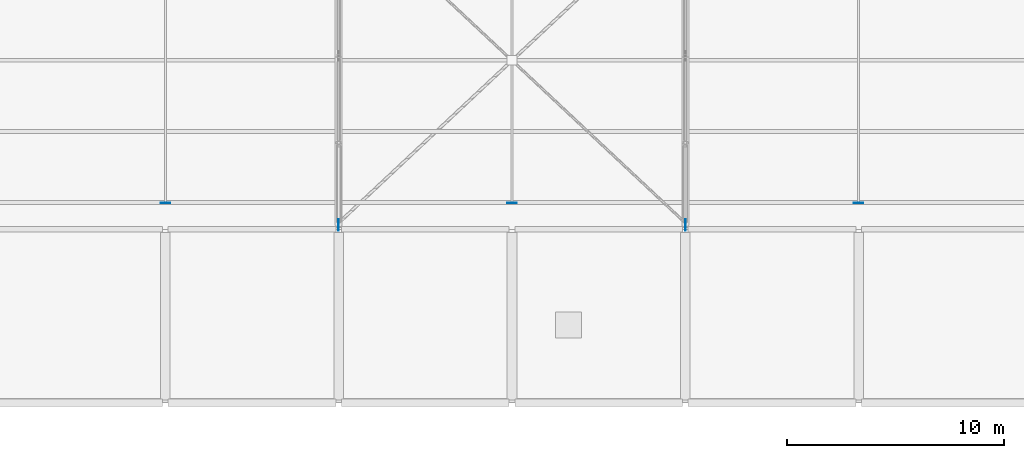
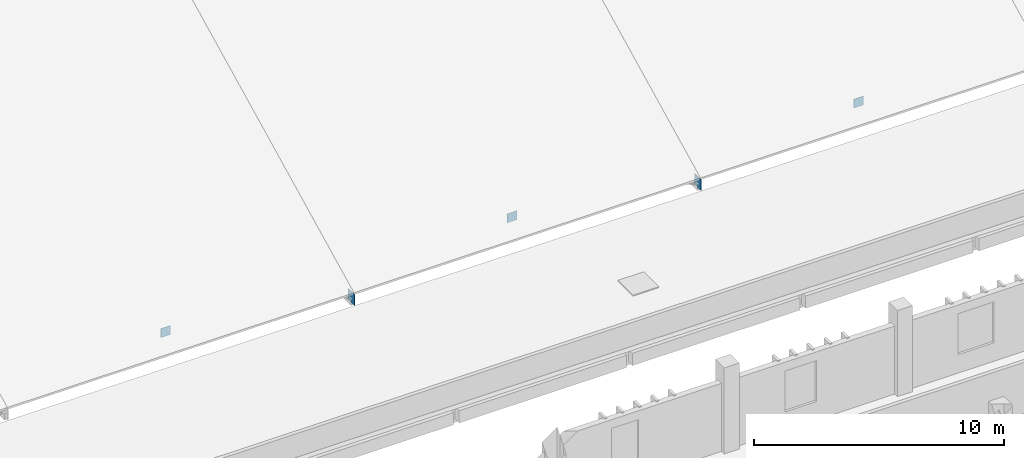
# One storey, part 104 of 137: 5 plates.
"""IFC4 building model written with IfcOpenShell, lengths in metres."""

from ifc_helpers import new_model, si_unit, direction, frame, origin, origin_2d, place, context, subcontext, project, spatial, rectangle, extrude, material, layer, layer_set, type_object, element, save


model = new_model("IFC4")

# Units and contexts
model_context = context("Model", 3, precision=1e-05, world=origin(), true_north=direction((0.0, 1.0)))
body_context = subcontext(model_context, "Body", "Model", "MODEL_VIEW")
ifc_project = project(units=[si_unit("LENGTHUNIT", "METRE"), si_unit("AREAUNIT", "SQUARE_METRE"), si_unit("VOLUMEUNIT", "CUBIC_METRE"), si_unit("PLANEANGLEUNIT", "RADIAN"), si_unit("MASSUNIT", "GRAM", prefix="KILO")], contexts=[model_context])

# Site, building, storey
site_placement = place(None, origin())
site = spatial("IfcSite", under=ifc_project, at=site_placement, CompositionType="ELEMENT")
building_placement = place(site_placement, origin())
building = spatial("IfcBuilding", under=site, at=building_placement, Name="Jelvoka-Kovrelna Polytechnic", CompositionType="ELEMENT")
storey_placement = place(building_placement, frame((0.0, 0.0, 9.60009765625)))
storey = spatial("IfcBuildingStorey", under=building, at=storey_placement, Name="L03", CompositionType="ELEMENT", Elevation=9.60009765625)

# Plates
ifc_material_1 = material(Name="Structural steel S355JR", Category="steel")
ifc_layer_1 = layer(ifc_material_1, 0.02392578125)
ifc_layer_set_1 = layer_set([ifc_layer_1], Name="Structural steel S355JR")
plate_type_1 = type_object("IfcPlateType", Name="Plate_Gusset_GP1", PredefinedType="SHEET", material=ifc_layer_set_1)
for number, where, z_axis, x_axis, name in (
    (1, (152.0, 88.199951171875, 0.056396484375), (0.0, 0.0, 1.0), (0.0, 1.0, 0.0), "Sawtooth truss 5 steel gusset node plate 025"),
    (2, (168.0, 88.199951171875, 0.056396484375), (0.0, 0.0, 1.0), (0.0, 1.0, 0.0), "Sawtooth truss 6 steel gusset node plate 031"),
):
    element("IfcPlate", number, at=place(storey_placement, frame(where, z_axis=z_axis, x_axis=x_axis)), inside=storey, type_object=plate_type_1, Name=name, PredefinedType="SHEET", context=body_context, shape_type="SweptSolid", body=[
        extrude(rectangle(XDim=0.52001953125, YDim=0.02392578125, at=origin_2d()), origin(), (0.0, 0.0, 1.0), 0.52001953125),
    ])
ifc_material_2 = material(Name="Structural steel S355JR", Category="steel")
ifc_layer_2 = layer(ifc_material_2, 0.02001953125)
ifc_layer_set_2 = layer_set([ifc_layer_2], Name="Structural steel S355JR")
plate_type_2 = type_object("IfcPlateType", Name="Plate_Gusset_GP3", PredefinedType="SHEET", material=ifc_layer_set_2)
for number, where, z_axis, x_axis, name in (
    (3, (144.0, 89.218017578125, 0.58642578125), (0.0, 0.0, 1.0), (1.0, 0.0, 0.0), "Sawtooth rafter 4.1 bot steel end cap plate 065"),
    (4, (160.0, 89.218017578125, 0.58642578125), (0.0, 0.0, 1.0), (1.0, 0.0, 0.0), "Sawtooth rafter 5.1 bot steel end cap plate 069"),
    (5, (176.0, 89.218017578125, 0.58642578125), (0.0, 0.0, 1.0), (1.0, 0.0, 0.0), "Sawtooth rafter 6.1 bot steel end cap plate 075"),
):
    element("IfcPlate", number, at=place(storey_placement, frame(where, z_axis=z_axis, x_axis=x_axis)), inside=storey, type_object=plate_type_2, Name=name, PredefinedType="SHEET", context=body_context, shape_type="SweptSolid", body=[
        extrude(rectangle(XDim=0.43994140625, YDim=0.02001953125, at=origin_2d()), origin(), (0.0, 0.0, 1.0), 0.43994140625),
    ])

save(model, "model.ifc")
